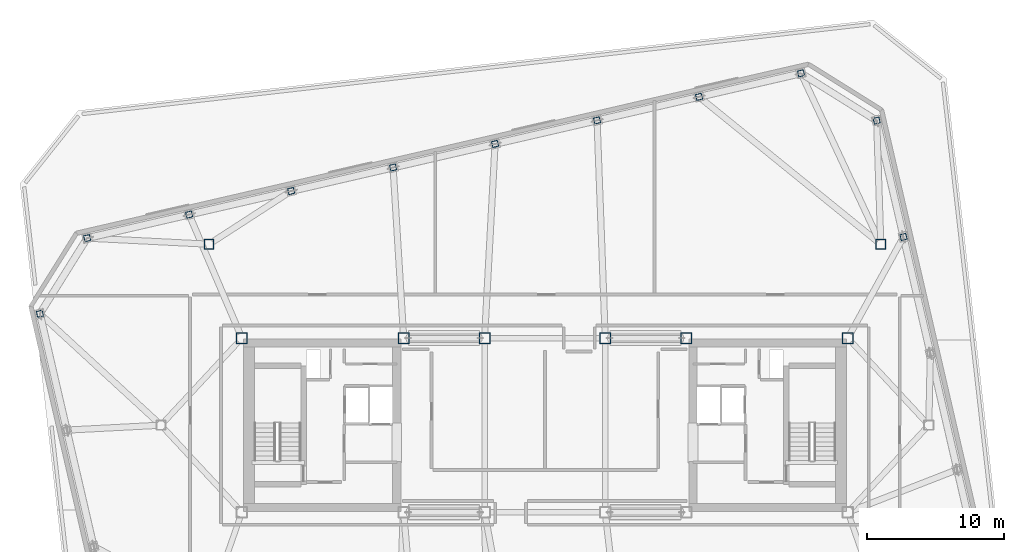
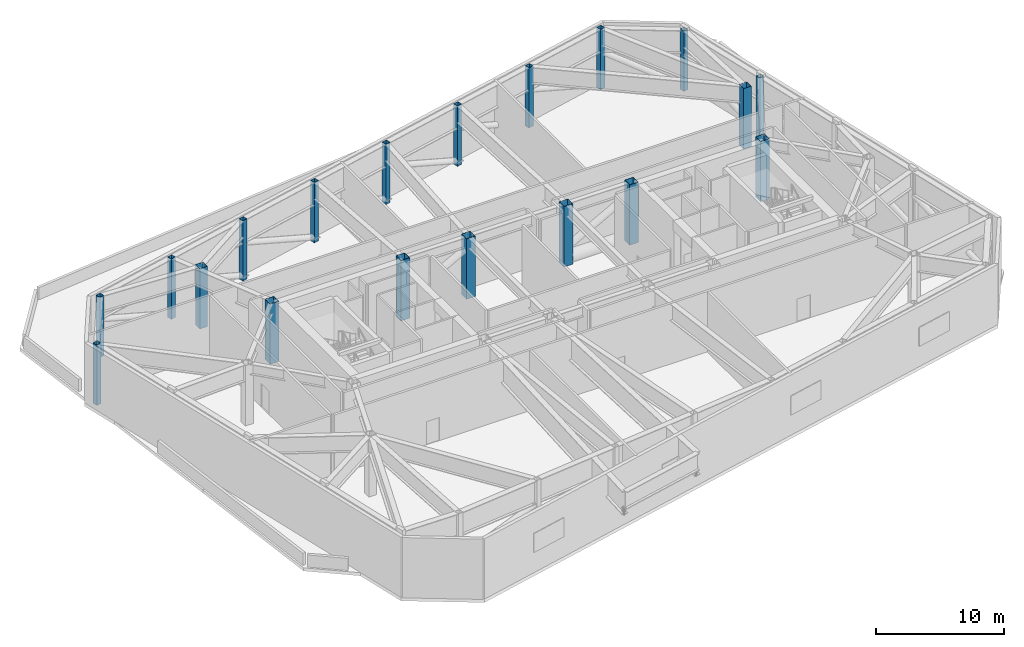
# One storey, part 2 of 15: 19 columns.
"""IFC4 building model written with IfcOpenShell, lengths in metres."""

from ifc_helpers import new_model, si_unit, direction, frame, origin, origin_2d, place, context, subcontext, project, spatial, hollow_rectangle, extrude, material, material_profile, profile_set, type_object, element, save


model = new_model("IFC4")

# Units and contexts
model_context = context("Model", 3, precision=1e-05, world=origin(), true_north=direction((0.0, 1.0)))
body_context = subcontext(model_context, "Body", "Model", "MODEL_VIEW")
ifc_project = project(units=[si_unit("LENGTHUNIT", "METRE"), si_unit("AREAUNIT", "SQUARE_METRE"), si_unit("VOLUMEUNIT", "CUBIC_METRE"), si_unit("PLANEANGLEUNIT", "RADIAN"), si_unit("MASSUNIT", "GRAM", prefix="KILO")], contexts=[model_context])

# Site, building, storey
site_placement = place(None, origin())
site = spatial("IfcSite", under=ifc_project, at=site_placement, CompositionType="ELEMENT")
building_placement = place(site_placement, origin())
building = spatial("IfcBuilding", under=site, at=building_placement, Name="Tavrogorsk Clinical Tower", CompositionType="ELEMENT")
storey_placement = place(building_placement, frame((0.0, 0.0, 271.0)))
storey = spatial("IfcBuildingStorey", under=building, at=storey_placement, Name="L63", CompositionType="ELEMENT", Elevation=271.0)

# Columns
ifc_material_1 = material(Name="Structural steel S440", Category="steel")
ifc_material_profile_1 = material_profile(ifc_material_1, hollow_rectangle(XDim=0.699951171875, YDim=0.699951171875, WallThickness=0.031982421875, at=origin_2d()), Name="BOX-700x700x32")
ifc_profile_set_1 = profile_set([ifc_material_profile_1], Name="Structural steel S440")
column_type_1 = type_object("IfcColumnType", Name="MegaCol_BOX700", PredefinedType="COLUMN", material=ifc_profile_set_1)
for number, where, z_axis, x_axis, name in (
    (1, (-24.5, 13.199951171875, 0.0), (0.0, 0.0, 1.0), (1.0, 0.0, 0.0), "L63 Spine Pilotis Column MC-P3"),
    (2, (24.5, 13.199951171875, 0.0), (0.0, 0.0, 1.0), (1.0, 0.0, 0.0), "L63 Spine Pilotis Column MC-P4"),
):
    element("IfcColumn", number, at=place(storey_placement, frame(where, z_axis=z_axis, x_axis=x_axis)), inside=storey, type_object=column_type_1, Name=name, PredefinedType="COLUMN", context=body_context, shape_type="SweptSolid", body=[
        extrude(hollow_rectangle(XDim=0.699951171875, YDim=0.699951171875, WallThickness=0.031982421875, at=origin_2d()), origin(), (0.0, 0.0, 1.0), 5.739990234375),
    ])
ifc_material_2 = material(Name="Structural steel S440", Category="steel")
ifc_material_profile_2 = material_profile(ifc_material_2, hollow_rectangle(XDim=0.800048828125, YDim=0.800048828125, WallThickness=0.035888671875, at=origin_2d()), Name="BOX-800x800x36")
ifc_profile_set_2 = profile_set([ifc_material_profile_2], Name="Structural steel S440")
column_type_2 = type_object("IfcColumnType", Name="MegaCol_BOX800", PredefinedType="COLUMN", material=ifc_profile_set_2)
for number, where, z_axis, x_axis, name in (
    (3, (-22.10009765625, 6.35009765625, 0.0), (0.0, 0.0, 1.0), (1.0, 0.0, 0.0), "L63 Mega Column MC-W2"),
    (4, (-10.300048828125, 6.35009765625, 0.0), (0.0, 0.0, 1.0), (1.0, 0.0, 0.0), "L63 Mega Column MC-W4"),
    (5, (10.300048828125, 6.35009765625, 0.0), (0.0, 0.0, 1.0), (1.0, 0.0, 0.0), "L63 Mega Column MC-E2"),
    (6, (22.10009765625, 6.35009765625, 0.0), (0.0, 0.0, 1.0), (1.0, 0.0, 0.0), "L63 Mega Column MC-E4"),
    (7, (-4.39990234375, 6.35009765625, 0.0), (0.0, 0.0, 1.0), (1.0, 0.0, 0.0), "L63 Mega Column MC-C3"),
    (8, (4.39990234375, 6.35009765625, 0.0), (0.0, 0.0, 1.0), (1.0, 0.0, 0.0), "L63 Mega Column MC-C4"),
):
    element("IfcColumn", number, at=place(storey_placement, frame(where, z_axis=z_axis, x_axis=x_axis)), inside=storey, type_object=column_type_2, Name=name, PredefinedType="COLUMN", context=body_context, shape_type="SweptSolid", body=[
        extrude(hollow_rectangle(XDim=0.800048828125, YDim=0.800048828125, WallThickness=0.035888671875, at=origin_2d()), origin(), (0.0, 0.0, 1.0), 5.739990234375),
    ])
ifc_material_3 = material(Name="Structural steel S440", Category="steel")
ifc_material_profile_3 = material_profile(ifc_material_3, hollow_rectangle(XDim=0.449951171875, YDim=0.449951171875, WallThickness=0.02197265625, at=origin_2d()), Name="BOX-450x450x22")
ifc_profile_set_3 = profile_set([ifc_material_profile_3], Name="Structural steel S440")
column_type_3 = type_object("IfcColumnType", Name="PerimCol_B5_BOX450", PredefinedType="COLUMN", material=ifc_profile_set_3)
for number, where, z_axis, x_axis, name in (
    (9, (18.681640625, 25.666259765625, 0.0), (0.0, 0.0, 1.0), (0.974370064785, 0.224951054344, 0.0), "L63 Perimeter Column N1"),
    (10, (11.2431640625, 23.948974609375, 0.0), (0.0, 0.0, 1.0), (0.974370064785, 0.224951054344, 0.0), "L63 Perimeter Column N2"),
    (11, (3.804443359375, 22.231689453125, 0.0), (0.0, 0.0, 1.0), (0.974370064785, 0.224951054344, 0.0), "L63 Perimeter Column N3"),
    (12, (-3.63427734375, 20.514404296875, 0.0), (0.0, 0.0, 1.0), (0.974370064785, 0.224951054344, 0.0), "L63 Perimeter Column N4"),
    (13, (-11.07275390625, 18.797119140625, 0.0), (0.0, 0.0, 1.0), (0.974370064785, 0.224951054344, 0.0), "L63 Perimeter Column N5"),
    (14, (-18.51123046875, 17.07958984375, 0.0), (0.0, 0.0, 1.0), (0.974370064785, 0.224951054344, 0.0), "L63 Perimeter Column N6"),
    (15, (-25.949951171875, 15.3623046875, 0.0), (0.0, 0.0, 1.0), (0.974370064785, 0.224951054344, 0.0), "L63 Perimeter Column N7"),
    (16, (-33.388671875, 13.64501953125, 0.0), (0.0, 0.0, 1.0), (0.974370064785, 0.224951054344, 0.0), "L63 Perimeter Column N8"),
    (17, (26.157958984375, 13.732177734375, 0.0), (0.0, 0.0, 1.0), (0.974370064785, 0.224951054344, 0.0), "L63 Perimeter Column E4"),
    (18, (24.198486328125, 22.218994140625, 0.0), (0.0, 0.0, 1.0), (0.974370064785, 0.224951054344, 0.0), "L63 Perimeter Column E5"),
    (19, (-36.8359375, 8.128173828125, 0.0), (0.0, 0.0, 1.0), (0.974370064785, 0.224951054344, 0.0), "L63 Perimeter Column W1"),
):
    element("IfcColumn", number, at=place(storey_placement, frame(where, z_axis=z_axis, x_axis=x_axis)), inside=storey, type_object=column_type_3, Name=name, PredefinedType="COLUMN", context=body_context, shape_type="SweptSolid", body=[
        extrude(hollow_rectangle(XDim=0.449951171875, YDim=0.449951171875, WallThickness=0.02197265625, at=origin_2d()), origin(), (0.0, 0.0, 1.0), 5.739990234375),
    ])

save(model, "model.ifc")
